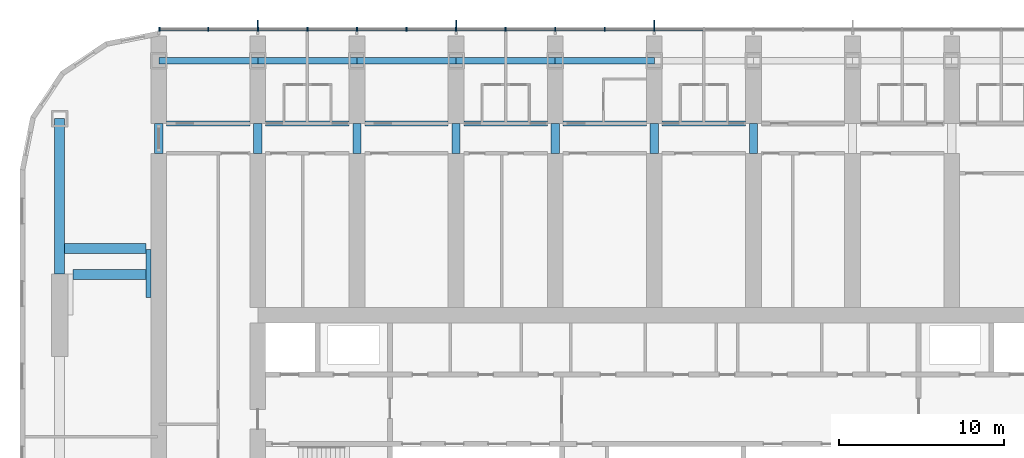
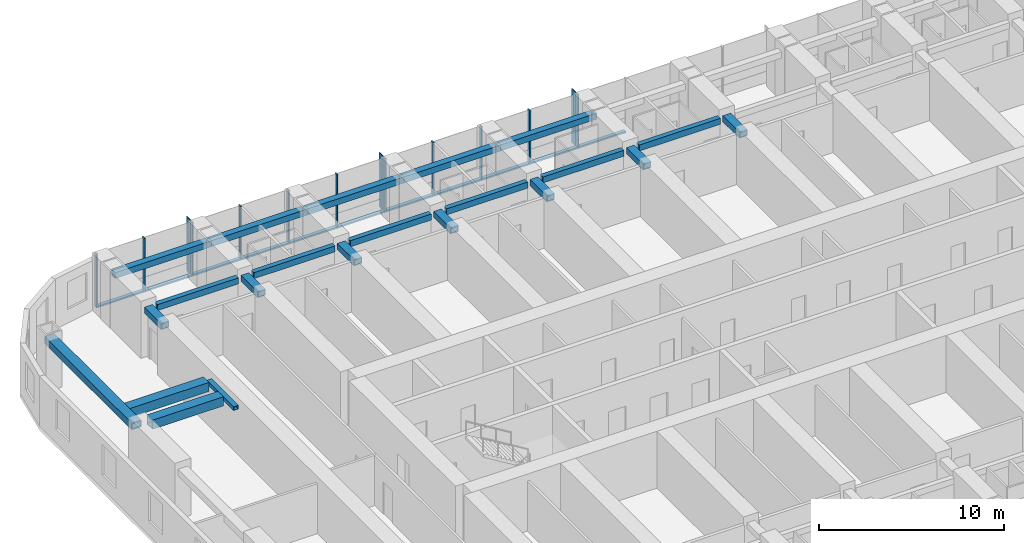
# One storey, part 4 of 21: 25 members, 22 beams, 1 element without a shape of its own.
"""IFC4 building model written with IfcOpenShell, lengths in metres."""

from ifc_helpers import new_model, si_unit, direction, frame, origin, origin_2d, place, context, subcontext, project, spatial, rectangle, hollow_rectangle, extrude, material, material_profile, profile_set, type_object, element, aggregate, save


model = new_model("IFC4")

# Units and contexts
model_context = context("Model", 3, precision=1e-05, world=origin(), true_north=direction((0.0, 1.0)))
body_context = subcontext(model_context, "Body", "Model", "MODEL_VIEW")
ifc_project = project(units=[si_unit("LENGTHUNIT", "METRE"), si_unit("AREAUNIT", "SQUARE_METRE"), si_unit("VOLUMEUNIT", "CUBIC_METRE"), si_unit("PLANEANGLEUNIT", "RADIAN"), si_unit("MASSUNIT", "GRAM", prefix="KILO")], contexts=[model_context])

# Site, building, storey
site_placement = place(None, origin())
site = spatial("IfcSite", under=ifc_project, at=site_placement, CompositionType="ELEMENT")
building_placement = place(site_placement, origin())
building = spatial("IfcBuilding", under=site, at=building_placement, Name="Orbita Commons", CompositionType="ELEMENT")
storey_placement = place(building_placement, frame((0.0, 0.0, 95.64990234375)))
storey = spatial("IfcBuildingStorey", under=building, at=storey_placement, Name="L23", CompositionType="ELEMENT", Elevation=95.64990234375)

# Curtain wall, members
ifc_material_1 = material(Name="Anodised aluminium frame, pale silver", Category="aluminium")
curtain_wall_type = type_object("IfcCurtainWallType", Name="Unitised curtain wall CW-T, vision and spandrel", PredefinedType="NOTDEFINED", material=ifc_material_1)
curtain_wall_placement = place(storey_placement, origin())
curtain_wall = element("IfcCurtainWall", 1, at=curtain_wall_placement, inside=storey, type_object=curtain_wall_type, Name="Curtain wall north L23", PredefinedType="NOTDEFINED")
ifc_material_2 = material(Name="Anodised aluminium, pale silver", Category="aluminium")
ifc_material_profile_1 = material_profile(ifc_material_2, rectangle(XDim=0.080078125, YDim=0.219970703125, at=origin_2d()), Name="AL 80x220")
ifc_profile_set_1 = profile_set([ifc_material_profile_1], Name="Anodised aluminium, pale silver")
member_type_1 = type_object("IfcMemberType", Name="Curtain wall mullion 80x220", PredefinedType="MULLION", material=ifc_profile_set_1)
member_1_placement = place(storey_placement, frame((42.0, 55.510009765625, -0.25), z_axis=(0.0, 0.0, 1.0), x_axis=(-1.0, 0.0, 0.0)))
member_1 = element("IfcMember", 2, at=member_1_placement, type_object=member_type_1, Name="Mullion 9 CW-L23-N", PredefinedType="MULLION", context=body_context, shape_type="SweptSolid", body=[
    extrude(rectangle(XDim=0.080078125, YDim=0.219970703125, at=origin_2d()), origin(), (0.0, 0.0, 1.0), 3.550048828125),
])
member_2_placement = place(storey_placement, frame((39.0, 55.510009765625, -0.25), z_axis=(0.0, 0.0, 1.0), x_axis=(-1.0, 0.0, 0.0)))
member_2 = element("IfcMember", 3, at=member_2_placement, type_object=member_type_1, Name="Mullion 10 CW-L23-N", PredefinedType="MULLION", context=body_context, shape_type="SweptSolid", body=[
    extrude(rectangle(XDim=0.080078125, YDim=0.219970703125, at=origin_2d()), origin(), (0.0, 0.0, 1.0), 3.550048828125),
])
member_3_placement = place(storey_placement, frame((36.0, 55.510009765625, -0.25), z_axis=(0.0, 0.0, 1.0), x_axis=(-1.0, 0.0, 0.0)))
member_3 = element("IfcMember", 4, at=member_3_placement, type_object=member_type_1, Name="Mullion 11 CW-L23-N", PredefinedType="MULLION", context=body_context, shape_type="SweptSolid", body=[
    extrude(rectangle(XDim=0.080078125, YDim=0.219970703125, at=origin_2d()), origin(), (0.0, 0.0, 1.0), 3.550048828125),
])
member_4_placement = place(storey_placement, frame((33.0, 55.510009765625, -0.25), z_axis=(0.0, 0.0, 1.0), x_axis=(-1.0, 0.0, 0.0)))
member_4 = element("IfcMember", 5, at=member_4_placement, type_object=member_type_1, Name="Mullion 12 CW-L23-N", PredefinedType="MULLION", context=body_context, shape_type="SweptSolid", body=[
    extrude(rectangle(XDim=0.080078125, YDim=0.219970703125, at=origin_2d()), origin(), (0.0, 0.0, 1.0), 3.550048828125),
])
member_5_placement = place(storey_placement, frame((30.0, 55.510009765625, -0.25), z_axis=(0.0, 0.0, 1.0), x_axis=(-1.0, 0.0, 0.0)))
member_5 = element("IfcMember", 6, at=member_5_placement, type_object=member_type_1, Name="Mullion 13 CW-L23-N", PredefinedType="MULLION", context=body_context, shape_type="SweptSolid", body=[
    extrude(rectangle(XDim=0.080078125, YDim=0.219970703125, at=origin_2d()), origin(), (0.0, 0.0, 1.0), 3.550048828125),
])
member_6_placement = place(storey_placement, frame((27.0, 55.510009765625, -0.25), z_axis=(0.0, 0.0, 1.0), x_axis=(-1.0, 0.0, 0.0)))
member_6 = element("IfcMember", 7, at=member_6_placement, type_object=member_type_1, Name="Mullion 14 CW-L23-N", PredefinedType="MULLION", context=body_context, shape_type="SweptSolid", body=[
    extrude(rectangle(XDim=0.080078125, YDim=0.219970703125, at=origin_2d()), origin(), (0.0, 0.0, 1.0), 3.550048828125),
])
member_7_placement = place(storey_placement, frame((24.0, 55.510009765625, -0.25), z_axis=(0.0, 0.0, 1.0), x_axis=(-1.0, 0.0, 0.0)))
member_7 = element("IfcMember", 8, at=member_7_placement, type_object=member_type_1, Name="Mullion 15 CW-L23-N", PredefinedType="MULLION", context=body_context, shape_type="SweptSolid", body=[
    extrude(rectangle(XDim=0.080078125, YDim=0.219970703125, at=origin_2d()), origin(), (0.0, 0.0, 1.0), 3.550048828125),
])
member_8_placement = place(storey_placement, frame((21.0, 55.510009765625, -0.25), z_axis=(0.0, 0.0, 1.0), x_axis=(-1.0, 0.0, 0.0)))
member_8 = element("IfcMember", 9, at=member_8_placement, type_object=member_type_1, Name="Mullion 16 CW-L23-N", PredefinedType="MULLION", context=body_context, shape_type="SweptSolid", body=[
    extrude(rectangle(XDim=0.080078125, YDim=0.219970703125, at=origin_2d()), origin(), (0.0, 0.0, 1.0), 3.550048828125),
])
member_9_placement = place(storey_placement, frame((18.0, 55.510009765625, -0.25), z_axis=(0.0, 0.0, 1.0), x_axis=(-1.0, 0.0, 0.0)))
member_9 = element("IfcMember", 10, at=member_9_placement, type_object=member_type_1, Name="Mullion 17 CW-L23-N", PredefinedType="MULLION", context=body_context, shape_type="SweptSolid", body=[
    extrude(rectangle(XDim=0.080078125, YDim=0.219970703125, at=origin_2d()), origin(), (0.0, 0.0, 1.0), 3.550048828125),
])
member_10_placement = place(storey_placement, frame((15.0, 55.510009765625, -0.25), z_axis=(0.0, 0.0, 1.0), x_axis=(-1.0, 0.0, 0.0)))
member_10 = element("IfcMember", 11, at=member_10_placement, type_object=member_type_1, Name="Mullion 18 CW-L23-N", PredefinedType="MULLION", context=body_context, shape_type="SweptSolid", body=[
    extrude(rectangle(XDim=0.080078125, YDim=0.219970703125, at=origin_2d()), origin(), (0.0, 0.0, 1.0), 3.550048828125),
])
member_11_placement = place(storey_placement, frame((12.0400390625, 55.510009765625, -0.25), z_axis=(0.0, 0.0, 1.0), x_axis=(-1.0, 0.0, 0.0)))
member_11 = element("IfcMember", 12, at=member_11_placement, type_object=member_type_1, Name="Mullion 19 CW-L23-N", PredefinedType="MULLION", context=body_context, shape_type="SweptSolid", body=[
    extrude(rectangle(XDim=0.080078125, YDim=0.219970703125, at=origin_2d()), origin(), (0.0, 0.0, 1.0), 3.550048828125),
])
ifc_material_3 = material(Name="Anodised aluminium, pale silver", Category="aluminium")
ifc_material_profile_2 = material_profile(ifc_material_3, rectangle(XDim=0.219970703125, YDim=0.10009765625, at=origin_2d()), Name="AL 220x100")
ifc_profile_set_2 = profile_set([ifc_material_profile_2], Name="Anodised aluminium, pale silver")
member_type_2 = type_object("IfcMemberType", Name="Curtain wall stack transom 220x100", PredefinedType="USERDEFINED", material=ifc_profile_set_2)
member_12_placement = place(storey_placement, frame((44.9599609375, 55.510009765625, -0.199951171875), z_axis=(-1.0, 0.0, 0.0), x_axis=(0.0, -1.0, 0.0)))
member_12 = element("IfcMember", 13, at=member_12_placement, type_object=member_type_2, Name="Transom 8.1 CW-L23-N", ObjectType="TRANSOM", PredefinedType="USERDEFINED", context=body_context, shape_type="SweptSolid", body=[
    extrude(rectangle(XDim=0.219970703125, YDim=0.10009765625, at=origin_2d()), origin(), (0.0, 0.0, 1.0), 2.919921875),
])
member_13_placement = place(storey_placement, frame((41.9599609375, 55.510009765625, -0.199951171875), z_axis=(-1.0, 0.0, 0.0), x_axis=(0.0, -1.0, 0.0)))
member_13 = element("IfcMember", 14, at=member_13_placement, type_object=member_type_2, Name="Transom 9.1 CW-L23-N", ObjectType="TRANSOM", PredefinedType="USERDEFINED", context=body_context, shape_type="SweptSolid", body=[
    extrude(rectangle(XDim=0.219970703125, YDim=0.10009765625, at=origin_2d()), origin(), (0.0, 0.0, 1.0), 2.919921875),
])
member_14_placement = place(storey_placement, frame((38.9599609375, 55.510009765625, -0.199951171875), z_axis=(-1.0, 0.0, 0.0), x_axis=(0.0, -1.0, 0.0)))
member_14 = element("IfcMember", 15, at=member_14_placement, type_object=member_type_2, Name="Transom 10.1 CW-L23-N", ObjectType="TRANSOM", PredefinedType="USERDEFINED", context=body_context, shape_type="SweptSolid", body=[
    extrude(rectangle(XDim=0.219970703125, YDim=0.10009765625, at=origin_2d()), origin(), (0.0, 0.0, 1.0), 2.919921875),
])
member_15_placement = place(storey_placement, frame((35.9599609375, 55.510009765625, -0.199951171875), z_axis=(-1.0, 0.0, 0.0), x_axis=(0.0, -1.0, 0.0)))
member_15 = element("IfcMember", 16, at=member_15_placement, type_object=member_type_2, Name="Transom 11.1 CW-L23-N", ObjectType="TRANSOM", PredefinedType="USERDEFINED", context=body_context, shape_type="SweptSolid", body=[
    extrude(rectangle(XDim=0.219970703125, YDim=0.10009765625, at=origin_2d()), origin(), (0.0, 0.0, 1.0), 2.919921875),
])
member_16_placement = place(storey_placement, frame((32.9599609375, 55.510009765625, -0.199951171875), z_axis=(-1.0, 0.0, 0.0), x_axis=(0.0, -1.0, 0.0)))
member_16 = element("IfcMember", 17, at=member_16_placement, type_object=member_type_2, Name="Transom 12.1 CW-L23-N", ObjectType="TRANSOM", PredefinedType="USERDEFINED", context=body_context, shape_type="SweptSolid", body=[
    extrude(rectangle(XDim=0.219970703125, YDim=0.10009765625, at=origin_2d()), origin(), (0.0, 0.0, 1.0), 2.919921875),
])
member_17_placement = place(storey_placement, frame((29.9599609375, 55.510009765625, -0.199951171875), z_axis=(-1.0, 0.0, 0.0), x_axis=(0.0, -1.0, 0.0)))
member_17 = element("IfcMember", 18, at=member_17_placement, type_object=member_type_2, Name="Transom 13.1 CW-L23-N", ObjectType="TRANSOM", PredefinedType="USERDEFINED", context=body_context, shape_type="SweptSolid", body=[
    extrude(rectangle(XDim=0.219970703125, YDim=0.10009765625, at=origin_2d()), origin(), (0.0, 0.0, 1.0), 2.919921875),
])
member_18_placement = place(storey_placement, frame((26.9599609375, 55.510009765625, -0.199951171875), z_axis=(-1.0, 0.0, 0.0), x_axis=(0.0, -1.0, 0.0)))
member_18 = element("IfcMember", 19, at=member_18_placement, type_object=member_type_2, Name="Transom 14.1 CW-L23-N", ObjectType="TRANSOM", PredefinedType="USERDEFINED", context=body_context, shape_type="SweptSolid", body=[
    extrude(rectangle(XDim=0.219970703125, YDim=0.10009765625, at=origin_2d()), origin(), (0.0, 0.0, 1.0), 2.919921875),
])
member_19_placement = place(storey_placement, frame((23.9599609375, 55.510009765625, -0.199951171875), z_axis=(-1.0, 0.0, 0.0), x_axis=(0.0, -1.0, 0.0)))
member_19 = element("IfcMember", 20, at=member_19_placement, type_object=member_type_2, Name="Transom 15.1 CW-L23-N", ObjectType="TRANSOM", PredefinedType="USERDEFINED", context=body_context, shape_type="SweptSolid", body=[
    extrude(rectangle(XDim=0.219970703125, YDim=0.10009765625, at=origin_2d()), origin(), (0.0, 0.0, 1.0), 2.919921875),
])
member_20_placement = place(storey_placement, frame((20.9599609375, 55.510009765625, -0.199951171875), z_axis=(-1.0, 0.0, 0.0), x_axis=(0.0, -1.0, 0.0)))
member_20 = element("IfcMember", 21, at=member_20_placement, type_object=member_type_2, Name="Transom 16.1 CW-L23-N", ObjectType="TRANSOM", PredefinedType="USERDEFINED", context=body_context, shape_type="SweptSolid", body=[
    extrude(rectangle(XDim=0.219970703125, YDim=0.10009765625, at=origin_2d()), origin(), (0.0, 0.0, 1.0), 2.919921875),
])
member_21_placement = place(storey_placement, frame((17.9599609375, 55.510009765625, -0.199951171875), z_axis=(-1.0, 0.0, 0.0), x_axis=(0.0, -1.0, 0.0)))
member_21 = element("IfcMember", 22, at=member_21_placement, type_object=member_type_2, Name="Transom 17.1 CW-L23-N", ObjectType="TRANSOM", PredefinedType="USERDEFINED", context=body_context, shape_type="SweptSolid", body=[
    extrude(rectangle(XDim=0.219970703125, YDim=0.10009765625, at=origin_2d()), origin(), (0.0, 0.0, 1.0), 2.919921875),
])
member_22_placement = place(storey_placement, frame((14.9599609375, 55.510009765625, -0.199951171875), z_axis=(-1.0, 0.0, 0.0), x_axis=(0.0, -1.0, 0.0)))
member_22 = element("IfcMember", 23, at=member_22_placement, type_object=member_type_2, Name="Transom 18.1 CW-L23-N", ObjectType="TRANSOM", PredefinedType="USERDEFINED", context=body_context, shape_type="SweptSolid", body=[
    extrude(rectangle(XDim=0.219970703125, YDim=0.10009765625, at=origin_2d()), origin(), (0.0, 0.0, 1.0), 2.8798828125),
])

# Beams
ifc_material_4 = material(Name="Steel ASTM A572 Gr 50 welded plate", Category="steel")
ifc_material_profile_3 = material_profile(ifc_material_4, hollow_rectangle(XDim=0.60009765625, YDim=0.60009765625, WallThickness=0.06005859375, at=origin_2d()), Name="BOX 600x600x60")
ifc_profile_set_3 = profile_set([ifc_material_profile_3], Name="Steel ASTM A572 Gr 50 welded plate")
beam_type_1 = type_object("IfcBeamType", Name="Stair trimmer beam BOX 600x600x60", PredefinedType="BEAM", material=ifc_profile_set_3)
beam_1_placement = place(storey_placement, frame((6.800048828125, 40.675048828125, 3.0), z_axis=(1.0, 0.0, 0.0), x_axis=(0.0, 1.0, 0.0)))
element("IfcBeam", 24, at=beam_1_placement, inside=storey, type_object=beam_type_1, Name="Neighbourhood stair L24 to L25 transfer beam 1", PredefinedType="BEAM", context=body_context, shape_type="SweptSolid", body=[
    extrude(hollow_rectangle(XDim=0.60009765625, YDim=0.60009765625, WallThickness=0.06005859375, at=origin_2d()), origin(), (0.0, 0.0, 1.0), 4.425048828125),
])
beam_2_placement = place(storey_placement, frame((6.300048828125, 42.235107421875, 3.0), z_axis=(1.0, 0.0, 0.0), x_axis=(0.0, 1.0, 0.0)))
element("IfcBeam", 25, at=beam_2_placement, inside=storey, type_object=beam_type_1, Name="Neighbourhood stair L24 to L25 transfer beam 2", PredefinedType="BEAM", context=body_context, shape_type="SweptSolid", body=[
    extrude(hollow_rectangle(XDim=0.60009765625, YDim=0.60009765625, WallThickness=0.06005859375, at=origin_2d()), origin(), (0.0, 0.0, 1.0), 4.925048828125),
])
ifc_material_5 = material(Name="Steel ASTM A572 Gr 50 welded plate", Category="steel")
ifc_material_profile_4 = material_profile(ifc_material_5, hollow_rectangle(XDim=0.300048828125, YDim=0.39990234375, WallThickness=0.0400390625, at=origin_2d()), Name="BOX 400x300x40")
ifc_profile_set_4 = profile_set([ifc_material_profile_4], Name="Steel ASTM A572 Gr 50 welded plate")
beam_type_2 = type_object("IfcBeamType", Name="Steel corridor link BOX 400x300x40", PredefinedType="BEAM", material=ifc_profile_set_4)
for number, where, z_axis, x_axis, name in (
    (26, (12.47509765625, 49.800048828125, 3.10009765625), (1.0, 0.0, 0.0), (0.0, 1.0, 0.0), "Corridor beam NB 3-4 L23"),
    (27, (18.47509765625, 49.800048828125, 3.10009765625), (1.0, 0.0, 0.0), (0.0, 1.0, 0.0), "Corridor beam NB 4-5 L23"),
    (28, (24.47509765625, 49.800048828125, 3.10009765625), (1.0, 0.0, 0.0), (0.0, 1.0, 0.0), "Corridor beam NB 5-6 L23"),
    (29, (30.47509765625, 49.800048828125, 3.10009765625), (1.0, 0.0, 0.0), (0.0, 1.0, 0.0), "Corridor beam NB 6-7 L23"),
    (30, (36.47509765625, 49.800048828125, 3.10009765625), (1.0, 0.0, 0.0), (0.0, 1.0, 0.0), "Corridor beam NB 7-8 L23"),
    (31, (42.47509765625, 49.800048828125, 3.10009765625), (1.0, 0.0, 0.0), (0.0, 1.0, 0.0), "Corridor beam NB 8-9 L23"),
):
    element("IfcBeam", number, at=place(storey_placement, frame(where, z_axis=z_axis, x_axis=x_axis)), inside=storey, type_object=beam_type_2, Name=name, PredefinedType="BEAM", context=body_context, shape_type="SweptSolid", body=[
        extrude(hollow_rectangle(XDim=0.300048828125, YDim=0.39990234375, WallThickness=0.0400390625, at=origin_2d()), origin(), (0.0, 0.0, 1.0), 5.0498046875),
    ])
ifc_material_6 = material(Name="Steel ASTM A572 Gr 50 welded plate", Category="steel")
ifc_material_profile_5 = material_profile(ifc_material_6, hollow_rectangle(XDim=0.5, YDim=0.39990234375, WallThickness=0.050048828125, at=origin_2d()), Name="BOX 400x500x50")
ifc_profile_set_5 = profile_set([ifc_material_profile_5], Name="Steel ASTM A572 Gr 50 welded plate")
beam_type_3 = type_object("IfcBeamType", Name="Steel coupling link BOX 400x500x50", PredefinedType="LINTEL", material=ifc_profile_set_5)
for number, where, z_axis, x_axis, name in (
    (32, (12.0, 48.0, 3.10009765625), (0.0, 1.0, 0.0), (-1.0, 0.0, 0.0), "Coupling beam 3 north L23"),
    (33, (18.0, 48.0, 3.10009765625), (0.0, 1.0, 0.0), (-1.0, 0.0, 0.0), "Coupling beam 4 north L23"),
    (34, (24.0, 48.0, 3.10009765625), (0.0, 1.0, 0.0), (-1.0, 0.0, 0.0), "Coupling beam 5 north L23"),
    (35, (30.0, 48.0, 3.10009765625), (0.0, 1.0, 0.0), (-1.0, 0.0, 0.0), "Coupling beam 6 north L23"),
    (36, (36.0, 48.0, 3.10009765625), (0.0, 1.0, 0.0), (-1.0, 0.0, 0.0), "Coupling beam 7 north L23"),
    (37, (42.0, 48.0, 3.10009765625), (0.0, 1.0, 0.0), (-1.0, 0.0, 0.0), "Coupling beam 8 north L23"),
    (38, (48.0, 48.0, 3.10009765625), (0.0, 1.0, 0.0), (-1.0, 0.0, 0.0), "Coupling beam 9 north L23"),
):
    element("IfcBeam", number, at=place(storey_placement, frame(where, z_axis=z_axis, x_axis=x_axis)), inside=storey, type_object=beam_type_3, Name=name, PredefinedType="LINTEL", context=body_context, shape_type="SweptSolid", body=[
        extrude(hollow_rectangle(XDim=0.5, YDim=0.39990234375, WallThickness=0.050048828125, at=origin_2d()), origin(), (0.0, 0.0, 1.0), 1.800048828125),
    ])
ifc_material_7 = material(Name="Steel ASTM A572 Gr 50 welded plate", Category="steel")
ifc_material_profile_6 = material_profile(ifc_material_7, hollow_rectangle(XDim=0.60009765625, YDim=0.449951171875, WallThickness=0.06005859375, at=origin_2d()), Name="BOX 450x600x60")
ifc_profile_set_6 = profile_set([ifc_material_profile_6], Name="Steel ASTM A572 Gr 50 welded plate")
beam_type_4 = type_object("IfcBeamType", Name="Steel end frame link BOX 450x600x60", PredefinedType="BEAM", material=ifc_profile_set_6)
beam_3_placement = place(storey_placement, frame((6.0, 40.699951171875, 3.0751953125), z_axis=(0.0, 1.0, 0.0), x_axis=(-1.0, 0.0, 0.0)))
element("IfcBeam", 39, at=beam_3_placement, inside=storey, type_object=beam_type_4, Name="End frame beam 2 D-E L23", PredefinedType="BEAM", context=body_context, shape_type="SweptSolid", body=[
    extrude(hollow_rectangle(XDim=0.60009765625, YDim=0.449951171875, WallThickness=0.06005859375, at=origin_2d()), origin(), (0.0, 0.0, 1.0), 9.400146484375),
])
ifc_material_8 = material(Name="Steel ASTM A572 Gr 50 welded plate", Category="steel")
ifc_material_profile_7 = material_profile(ifc_material_8, hollow_rectangle(XDim=0.39990234375, YDim=0.39990234375, WallThickness=0.0400390625, at=origin_2d()), Name="BOX 400x400x40")
ifc_profile_set_7 = profile_set([ifc_material_profile_7], Name="Steel ASTM A572 Gr 50 welded plate")
beam_type_5 = type_object("IfcBeamType", Name="Steel spandrel BOX 400x400x40", PredefinedType="SPANDREL", material=ifc_profile_set_7)
for number, where, z_axis, x_axis, name in (
    (40, (12.0, 53.60009765625, 3.10009765625), (1.0, 0.0, 0.0), (0.0, 1.0, 0.0), "Spandrel beam E 3-4 L23"),
    (41, (18.0, 53.60009765625, 3.10009765625), (1.0, 0.0, 0.0), (0.0, 1.0, 0.0), "Spandrel beam E 4-5 L23"),
    (42, (24.0, 53.60009765625, 3.10009765625), (1.0, 0.0, 0.0), (0.0, 1.0, 0.0), "Spandrel beam E 5-6 L23"),
    (43, (30.0, 53.60009765625, 3.10009765625), (1.0, 0.0, 0.0), (0.0, 1.0, 0.0), "Spandrel beam E 6-7 L23"),
    (44, (36.0, 53.60009765625, 3.10009765625), (1.0, 0.0, 0.0), (0.0, 1.0, 0.0), "Spandrel beam E 7-8 L23"),
):
    element("IfcBeam", number, at=place(storey_placement, frame(where, z_axis=z_axis, x_axis=x_axis)), inside=storey, type_object=beam_type_5, Name=name, PredefinedType="SPANDREL", context=body_context, shape_type="SweptSolid", body=[
        extrude(hollow_rectangle(XDim=0.39990234375, YDim=0.39990234375, WallThickness=0.0400390625, at=origin_2d()), origin(), (0.0, 0.0, 1.0), 6.0),
    ])
ifc_material_9 = material(Name="Steel ASTM A572 Gr 50 welded plate", Category="steel")
ifc_material_profile_8 = material_profile(ifc_material_9, hollow_rectangle(XDim=0.300048828125, YDim=0.25, WallThickness=0.02490234375, at=origin_2d()), Name="BOX 250x300x25")
ifc_profile_set_8 = profile_set([ifc_material_profile_8], Name="Steel ASTM A572 Gr 50 welded plate")
beam_type_6 = type_object("IfcBeamType", Name="Trimmer ledger beam BOX 250x300x25", PredefinedType="BEAM", material=ifc_profile_set_8)
beam_4_placement = place(storey_placement, frame((11.375, 39.272705078125, 3.175048828125), z_axis=(0.0, 1.0, 0.0), x_axis=(-1.0, 0.0, 0.0)))
element("IfcBeam", 45, at=beam_4_placement, inside=storey, type_object=beam_type_6, Name="Neighbourhood stair L24 to L25 trimmer ledger 1E", PredefinedType="BEAM", context=body_context, shape_type="SweptSolid", body=[
    extrude(hollow_rectangle(XDim=0.300048828125, YDim=0.25, WallThickness=0.02490234375, at=origin_2d()), origin(), (0.0, 0.0, 1.0), 2.9091796875),
])

# Member
ifc_material_10 = material(Name="Anodised aluminium, pale silver", Category="aluminium")
ifc_material_profile_9 = material_profile(ifc_material_10, rectangle(XDim=0.06005859375, YDim=0.449951171875, at=origin_2d()), Name="FIN 60x450")
ifc_profile_set_9 = profile_set([ifc_material_profile_9], Name="Anodised aluminium, pale silver")
member_type_3 = type_object("IfcMemberType", Name="Vertical fin 60x450 pale aluminium", PredefinedType="USERDEFINED", material=ifc_profile_set_9)
member_23_placement = place(storey_placement, frame((42.0, 55.844970703125, -0.25), z_axis=(0.0, 0.0, 1.0), x_axis=(-1.0, 0.0, 0.0)))
member_23 = element("IfcMember", 46, at=member_23_placement, type_object=member_type_3, Name="Fin 9 CW-L23-N", ObjectType="FIN", PredefinedType="USERDEFINED", context=body_context, shape_type="SweptSolid", body=[
    extrude(rectangle(XDim=0.06005859375, YDim=0.449951171875, at=origin_2d()), origin(), (0.0, 0.0, 1.0), 3.550048828125),
])

member_24_placement = place(storey_placement, frame((30.0, 55.844970703125, -0.25), z_axis=(0.0, 0.0, 1.0), x_axis=(-1.0, 0.0, 0.0)))
member_24 = element("IfcMember", 47, at=member_24_placement, type_object=member_type_3, Name="Fin 13 CW-L23-N", ObjectType="FIN", PredefinedType="USERDEFINED", context=body_context, shape_type="SweptSolid", body=[
    extrude(rectangle(XDim=0.06005859375, YDim=0.449951171875, at=origin_2d()), origin(), (0.0, 0.0, 1.0), 3.550048828125),
])

member_25_placement = place(storey_placement, frame((18.0, 55.844970703125, -0.25), z_axis=(0.0, 0.0, 1.0), x_axis=(-1.0, 0.0, 0.0)))
member_25 = element("IfcMember", 48, at=member_25_placement, type_object=member_type_3, Name="Fin 17 CW-L23-N", ObjectType="FIN", PredefinedType="USERDEFINED", context=body_context, shape_type="SweptSolid", body=[
    extrude(rectangle(XDim=0.06005859375, YDim=0.449951171875, at=origin_2d()), origin(), (0.0, 0.0, 1.0), 3.550048828125),
])

aggregate(curtain_wall, [member_1, member_23, member_2, member_3, member_4, member_5, member_24, member_6, member_7, member_8, member_9, member_25, member_10, member_11, member_12, member_13, member_14, member_15, member_16, member_17, member_18, member_19, member_20, member_21, member_22])

save(model, "model.ifc")
